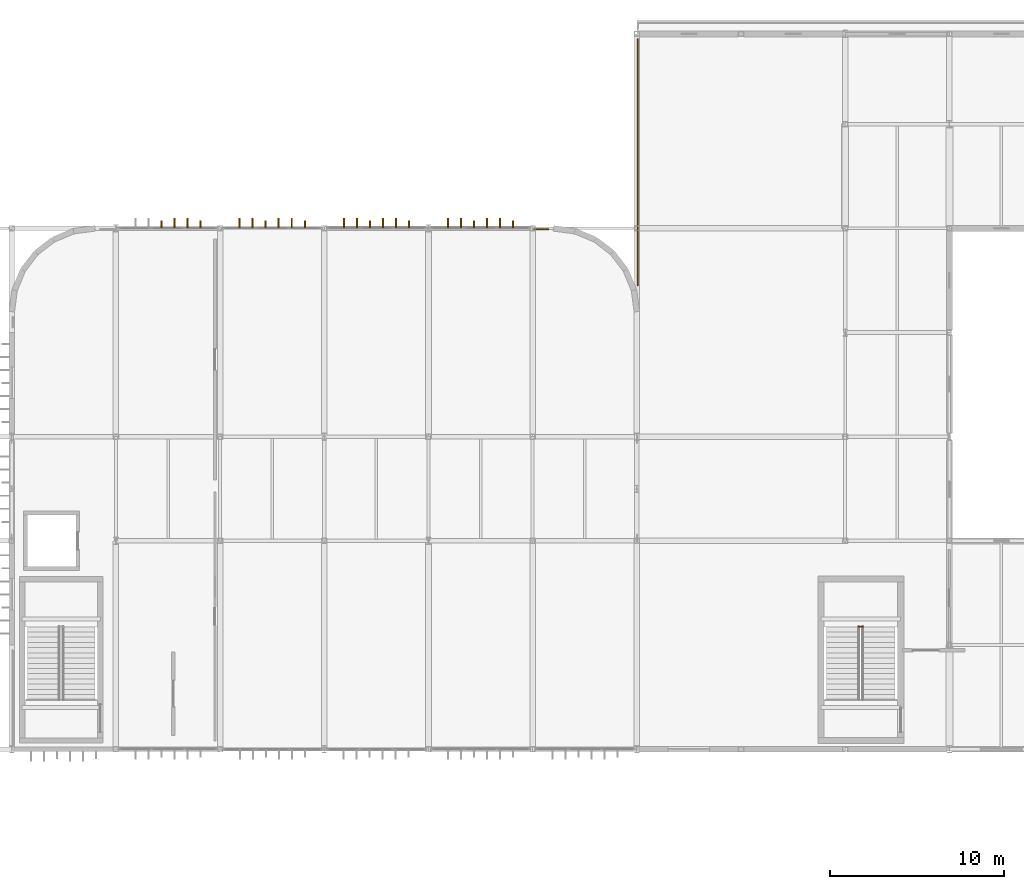
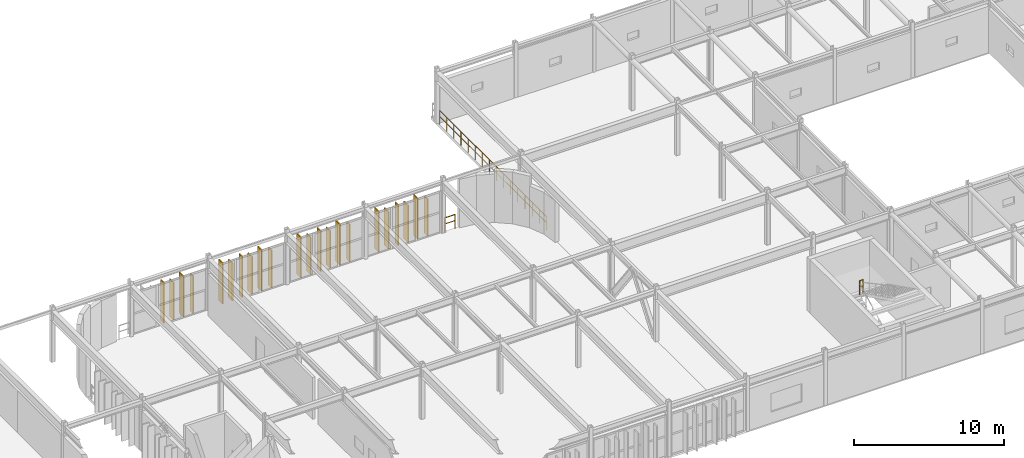
# One storey, part 91 of 96: 22 coverings, 3 railings.
"""IFC4 building model written with IfcOpenShell, lengths in metres."""

from ifc_helpers import new_model, si_unit, direction, frame, origin, origin_2d, place, context, subcontext, project, spatial, rectangle, circle, extrude, material, layer, layer_set, type_object, element, save


model = new_model("IFC4")

# Units and contexts
model_context = context("Model", 3, precision=1e-05, world=origin(), true_north=direction((0.0, 1.0)))
body_context = subcontext(model_context, "Body", "Model", "MODEL_VIEW")
ifc_project = project(units=[si_unit("LENGTHUNIT", "METRE"), si_unit("AREAUNIT", "SQUARE_METRE"), si_unit("VOLUMEUNIT", "CUBIC_METRE"), si_unit("PLANEANGLEUNIT", "RADIAN"), si_unit("MASSUNIT", "GRAM", prefix="KILO")], contexts=[model_context])

# Site, building, storey
site_placement = place(None, origin())
site = spatial("IfcSite", under=ifc_project, at=site_placement, CompositionType="ELEMENT")
building_placement = place(site_placement, origin())
building = spatial("IfcBuilding", under=site, at=building_placement, Name="Varnakota Square Police Headquarters", CompositionType="ELEMENT")
storey_placement = place(building_placement, frame((0.0, 0.0, 4.800048828125)))
storey = spatial("IfcBuildingStorey", under=building, at=storey_placement, Name="L01", CompositionType="ELEMENT", Elevation=4.800048828125)

# Coverings
ifc_material_1 = material(Name="White Anodised Aluminium Vertical Facade Blade 420", Category="aluminium")
ifc_layer_1 = layer(ifc_material_1, 0.0849609375, Name="White Anodised Aluminium Vertical Facade Blade 420")
ifc_layer_set_1 = layer_set([ifc_layer_1], Name="White Anodised Aluminium Vertical Facade Blade 420")
covering_type_1 = type_object("IfcCoveringType", Name="COV-FIN-420", PredefinedType="CLADDING", material=ifc_layer_set_1)
covering_1_placement = place(storey_placement, frame((68.612548828125, 99.237548828125, 0.0400390625), z_axis=(0.0, 0.0, 1.0), x_axis=(1.0, 0.0, 0.0)))
element("IfcCovering", 1, at=covering_1_placement, inside=storey, type_object=covering_type_1, Name="Vertical aluminium facade fin FIN-1160", PredefinedType="CLADDING", context=body_context, shape_type="SweptSolid", body=[
    extrude(rectangle(XDim=0.0849609375, YDim=0.419921875, at=origin_2d()), origin(), (0.0, 0.0, 1.0), 3.31005859375),
])
covering_2_placement = place(storey_placement, frame((70.862548828125, 99.237548828125, 0.0400390625), z_axis=(0.0, 0.0, 1.0), x_axis=(1.0, 0.0, 0.0)))
element("IfcCovering", 2, at=covering_2_placement, inside=storey, type_object=covering_type_1, Name="Vertical aluminium facade fin FIN-1163", PredefinedType="CLADDING", context=body_context, shape_type="SweptSolid", body=[
    extrude(rectangle(XDim=0.0849609375, YDim=0.419921875, at=origin_2d()), origin(), (0.0, 0.0, 1.0), 3.030029296875),
])
covering_3_placement = place(storey_placement, frame((74.625, 99.237548828125, 0.0400390625), z_axis=(0.0, 0.0, 1.0), x_axis=(1.0, 0.0, 0.0)))
element("IfcCovering", 3, at=covering_3_placement, inside=storey, type_object=covering_type_1, Name="Vertical aluminium facade fin FIN-1166", PredefinedType="CLADDING", context=body_context, shape_type="SweptSolid", body=[
    extrude(rectangle(XDim=0.0849609375, YDim=0.419921875, at=origin_2d()), origin(), (0.0, 0.0, 1.0), 3.31005859375),
])
covering_4_placement = place(storey_placement, frame((76.875, 99.237548828125, 0.0400390625), z_axis=(0.0, 0.0, 1.0), x_axis=(1.0, 0.0, 0.0)))
element("IfcCovering", 4, at=covering_4_placement, inside=storey, type_object=covering_type_1, Name="Vertical aluminium facade fin FIN-1169", PredefinedType="CLADDING", context=body_context, shape_type="SweptSolid", body=[
    extrude(rectangle(XDim=0.0849609375, YDim=0.419921875, at=origin_2d()), origin(), (0.0, 0.0, 1.0), 3.030029296875),
])
covering_5_placement = place(storey_placement, frame((80.637451171875, 99.237548828125, 0.0400390625), z_axis=(0.0, 0.0, 1.0), x_axis=(1.0, 0.0, 0.0)))
element("IfcCovering", 5, at=covering_5_placement, inside=storey, type_object=covering_type_1, Name="Vertical aluminium facade fin FIN-1172", PredefinedType="CLADDING", context=body_context, shape_type="SweptSolid", body=[
    extrude(rectangle(XDim=0.0849609375, YDim=0.419921875, at=origin_2d()), origin(), (0.0, 0.0, 1.0), 3.31005859375),
])
covering_6_placement = place(storey_placement, frame((82.887451171875, 99.237548828125, 0.0400390625), z_axis=(0.0, 0.0, 1.0), x_axis=(1.0, 0.0, 0.0)))
element("IfcCovering", 6, at=covering_6_placement, inside=storey, type_object=covering_type_1, Name="Vertical aluminium facade fin FIN-1175", PredefinedType="CLADDING", context=body_context, shape_type="SweptSolid", body=[
    extrude(rectangle(XDim=0.0849609375, YDim=0.419921875, at=origin_2d()), origin(), (0.0, 0.0, 1.0), 3.030029296875),
])
covering_7_placement = place(storey_placement, frame((86.612548828125, 99.237548828125, 0.0400390625), z_axis=(0.0, 0.0, 1.0), x_axis=(1.0, 0.0, 0.0)))
element("IfcCovering", 7, at=covering_7_placement, inside=storey, type_object=covering_type_1, Name="Vertical aluminium facade fin FIN-1178", PredefinedType="CLADDING", context=body_context, shape_type="SweptSolid", body=[
    extrude(rectangle(XDim=0.0849609375, YDim=0.419921875, at=origin_2d()), origin(), (0.0, 0.0, 1.0), 3.31005859375),
])
covering_8_placement = place(storey_placement, frame((88.862548828125, 99.237548828125, 0.0400390625), z_axis=(0.0, 0.0, 1.0), x_axis=(1.0, 0.0, 0.0)))
element("IfcCovering", 8, at=covering_8_placement, inside=storey, type_object=covering_type_1, Name="Vertical aluminium facade fin FIN-1181", PredefinedType="CLADDING", context=body_context, shape_type="SweptSolid", body=[
    extrude(rectangle(XDim=0.0849609375, YDim=0.419921875, at=origin_2d()), origin(), (0.0, 0.0, 1.0), 3.030029296875),
])
ifc_material_2 = material(Name="White Anodised Aluminium Vertical Facade Blade 550", Category="aluminium")
ifc_layer_2 = layer(ifc_material_2, 0.0849609375, Name="White Anodised Aluminium Vertical Facade Blade 550")
ifc_layer_set_2 = layer_set([ifc_layer_2], Name="White Anodised Aluminium Vertical Facade Blade 550")
covering_type_2 = type_object("IfcCoveringType", Name="COV-FIN-550", PredefinedType="CLADDING", material=ifc_layer_set_2)
covering_9_placement = place(storey_placement, frame((69.362548828125, 99.302490234375, 0.0400390625), z_axis=(0.0, 0.0, 1.0), x_axis=(1.0, 0.0, 0.0)))
element("IfcCovering", 9, at=covering_9_placement, inside=storey, type_object=covering_type_2, Name="Vertical aluminium facade fin FIN-1161", PredefinedType="CLADDING", context=body_context, shape_type="SweptSolid", body=[
    extrude(rectangle(XDim=0.0849609375, YDim=0.550048828125, at=origin_2d()), origin(), (0.0, 0.0, 1.0), 3.030029296875),
])
for number, where, z_axis, x_axis, name in (
    (10, (70.112548828125, 99.302490234375, 0.0400390625), (0.0, 0.0, 1.0), (1.0, 0.0, 0.0), "Vertical aluminium facade fin FIN-1162"),
    (11, (73.125, 99.302490234375, 0.0400390625), (0.0, 0.0, 1.0), (1.0, 0.0, 0.0), "Vertical aluminium facade fin FIN-1164"),
):
    element("IfcCovering", number, at=place(storey_placement, frame(where, z_axis=z_axis, x_axis=x_axis)), inside=storey, type_object=covering_type_2, Name=name, PredefinedType="CLADDING", context=body_context, shape_type="SweptSolid", body=[
        extrude(rectangle(XDim=0.0849609375, YDim=0.550048828125, at=origin_2d()), origin(), (0.0, 0.0, 1.0), 3.31005859375),
    ])
for number, where, z_axis, x_axis, name in (
    (12, (73.875, 99.302490234375, 0.0400390625), (0.0, 0.0, 1.0), (1.0, 0.0, 0.0), "Vertical aluminium facade fin FIN-1165"),
    (13, (75.375, 99.302490234375, 0.0400390625), (0.0, 0.0, 1.0), (1.0, 0.0, 0.0), "Vertical aluminium facade fin FIN-1167"),
):
    element("IfcCovering", number, at=place(storey_placement, frame(where, z_axis=z_axis, x_axis=x_axis)), inside=storey, type_object=covering_type_2, Name=name, PredefinedType="CLADDING", context=body_context, shape_type="SweptSolid", body=[
        extrude(rectangle(XDim=0.0849609375, YDim=0.550048828125, at=origin_2d()), origin(), (0.0, 0.0, 1.0), 3.030029296875),
    ])
for number, where, z_axis, x_axis, name in (
    (14, (76.125, 99.302490234375, 0.0400390625), (0.0, 0.0, 1.0), (1.0, 0.0, 0.0), "Vertical aluminium facade fin FIN-1168"),
    (15, (79.137451171875, 99.302490234375, 0.0400390625), (0.0, 0.0, 1.0), (1.0, 0.0, 0.0), "Vertical aluminium facade fin FIN-1170"),
):
    element("IfcCovering", number, at=place(storey_placement, frame(where, z_axis=z_axis, x_axis=x_axis)), inside=storey, type_object=covering_type_2, Name=name, PredefinedType="CLADDING", context=body_context, shape_type="SweptSolid", body=[
        extrude(rectangle(XDim=0.0849609375, YDim=0.550048828125, at=origin_2d()), origin(), (0.0, 0.0, 1.0), 3.31005859375),
    ])
for number, where, z_axis, x_axis, name in (
    (16, (79.887451171875, 99.302490234375, 0.0400390625), (0.0, 0.0, 1.0), (1.0, 0.0, 0.0), "Vertical aluminium facade fin FIN-1171"),
    (17, (81.387451171875, 99.302490234375, 0.0400390625), (0.0, 0.0, 1.0), (1.0, 0.0, 0.0), "Vertical aluminium facade fin FIN-1173"),
):
    element("IfcCovering", number, at=place(storey_placement, frame(where, z_axis=z_axis, x_axis=x_axis)), inside=storey, type_object=covering_type_2, Name=name, PredefinedType="CLADDING", context=body_context, shape_type="SweptSolid", body=[
        extrude(rectangle(XDim=0.0849609375, YDim=0.550048828125, at=origin_2d()), origin(), (0.0, 0.0, 1.0), 3.030029296875),
    ])
for number, where, z_axis, x_axis, name in (
    (18, (82.137451171875, 99.302490234375, 0.0400390625), (0.0, 0.0, 1.0), (1.0, 0.0, 0.0), "Vertical aluminium facade fin FIN-1174"),
    (19, (85.112548828125, 99.302490234375, 0.0400390625), (0.0, 0.0, 1.0), (1.0, 0.0, 0.0), "Vertical aluminium facade fin FIN-1176"),
):
    element("IfcCovering", number, at=place(storey_placement, frame(where, z_axis=z_axis, x_axis=x_axis)), inside=storey, type_object=covering_type_2, Name=name, PredefinedType="CLADDING", context=body_context, shape_type="SweptSolid", body=[
        extrude(rectangle(XDim=0.0849609375, YDim=0.550048828125, at=origin_2d()), origin(), (0.0, 0.0, 1.0), 3.31005859375),
    ])
for number, where, z_axis, x_axis, name in (
    (20, (85.862548828125, 99.302490234375, 0.0400390625), (0.0, 0.0, 1.0), (1.0, 0.0, 0.0), "Vertical aluminium facade fin FIN-1177"),
    (21, (87.362548828125, 99.302490234375, 0.0400390625), (0.0, 0.0, 1.0), (1.0, 0.0, 0.0), "Vertical aluminium facade fin FIN-1179"),
):
    element("IfcCovering", number, at=place(storey_placement, frame(where, z_axis=z_axis, x_axis=x_axis)), inside=storey, type_object=covering_type_2, Name=name, PredefinedType="CLADDING", context=body_context, shape_type="SweptSolid", body=[
        extrude(rectangle(XDim=0.0849609375, YDim=0.550048828125, at=origin_2d()), origin(), (0.0, 0.0, 1.0), 3.030029296875),
    ])
covering_10_placement = place(storey_placement, frame((88.112548828125, 99.302490234375, 0.0400390625), z_axis=(0.0, 0.0, 1.0), x_axis=(1.0, 0.0, 0.0)))
element("IfcCovering", 22, at=covering_10_placement, inside=storey, type_object=covering_type_2, Name="Vertical aluminium facade fin FIN-1180", PredefinedType="CLADDING", context=body_context, shape_type="SweptSolid", body=[
    extrude(rectangle(XDim=0.0849609375, YDim=0.550048828125, at=origin_2d()), origin(), (0.0, 0.0, 1.0), 3.31005859375),
])

# Railings
ifc_material_3 = material(Name="Galvanised Powder-Coated Steel Guardrail", Category="steel")
railing_type_1 = type_object("IfcRailingType", Name="RL-BAL-1150", PredefinedType="BALUSTRADE", material=ifc_material_3)
railing_1_placement = place(storey_placement, frame((90.07958984375, 98.949951171875, 0.0)))
element("IfcRailing", 23, at=railing_1_placement, inside=storey, type_object=railing_type_1, Name="Perimeter edge safety guard GD-AUTO-L01-026", PredefinedType="BALUSTRADE", context=body_context, shape_type="SweptSolid", body=[
    extrude(circle(Radius=0.02392578125, at=origin_2d()), frame((0.0, 0.0, 1.1259765625), z_axis=(1.0, 0.0, 0.0), x_axis=(0.0, 1.0, 0.0)), (0.0, 0.0, 1.0), 0.82470703125),
    extrude(circle(Radius=0.01806640625, at=origin_2d()), frame((0.0, 0.0, 0.63232421875), z_axis=(1.0, 0.0, 0.0), x_axis=(0.0, 1.0, 0.0)), (0.0, 0.0, 1.0), 0.82470703125),
    extrude(circle(Radius=0.02099609375, at=origin_2d()), origin(), (0.0, 0.0, 1.0), 1.101806640625),
    extrude(circle(Radius=0.02099609375, at=origin_2d()), frame((0.82470703125, 0.0, 0.0)), (0.0, 0.0, 1.0), 1.101806640625),
])
railing_2_placement = place(storey_placement, frame((96.050048828125, 95.710693359375, 0.0)))
element("IfcRailing", 24, at=railing_2_placement, inside=storey, type_object=railing_type_1, Name="Perimeter edge safety guard GD-AUTO-L01-027", PredefinedType="BALUSTRADE", context=body_context, shape_type="SweptSolid", body=[
    extrude(circle(Radius=0.02392578125, at=origin_2d()), frame((0.0, 0.0, 1.1259765625), z_axis=(0.0, 1.0, 0.0), x_axis=(-1.0, 0.0, 0.0)), (0.0, 0.0, 1.0), 14.19775390625),
    extrude(circle(Radius=0.01806640625, at=origin_2d()), frame((0.0, 0.0, 0.63232421875), z_axis=(0.0, 1.0, 0.0), x_axis=(-1.0, 0.0, 0.0)), (0.0, 0.0, 1.0), 14.19775390625),
    extrude(circle(Radius=0.02099609375, at=origin_2d()), origin(), (0.0, 0.0, 1.0), 1.101806640625),
    extrude(circle(Radius=0.02099609375, at=origin_2d()), frame((0.0, 0.946533203125, 0.0)), (0.0, 0.0, 1.0), 1.101806640625),
    extrude(circle(Radius=0.02099609375, at=origin_2d()), frame((0.0, 1.89306640625, 0.0)), (0.0, 0.0, 1.0), 1.101806640625),
    extrude(circle(Radius=0.02099609375, at=origin_2d()), frame((0.0, 2.839599609375, 0.0)), (0.0, 0.0, 1.0), 1.101806640625),
    extrude(circle(Radius=0.02099609375, at=origin_2d()), frame((0.0, 3.7861328125, 0.0)), (0.0, 0.0, 1.0), 1.101806640625),
    extrude(circle(Radius=0.02099609375, at=origin_2d()), frame((0.0, 4.732666015625, 0.0)), (0.0, 0.0, 1.0), 1.101806640625),
    extrude(circle(Radius=0.02099609375, at=origin_2d()), frame((0.0, 5.67919921875, 0.0)), (0.0, 0.0, 1.0), 1.101806640625),
    extrude(circle(Radius=0.02099609375, at=origin_2d()), frame((0.0, 6.625732421875, 0.0)), (0.0, 0.0, 1.0), 1.101806640625),
    extrude(circle(Radius=0.02099609375, at=origin_2d()), frame((0.0, 7.572021484375, 0.0)), (0.0, 0.0, 1.0), 1.101806640625),
    extrude(circle(Radius=0.02099609375, at=origin_2d()), frame((0.0, 8.5185546875, 0.0)), (0.0, 0.0, 1.0), 1.101806640625),
    extrude(circle(Radius=0.02099609375, at=origin_2d()), frame((0.0, 9.465087890625, 0.0)), (0.0, 0.0, 1.0), 1.101806640625),
    extrude(circle(Radius=0.02099609375, at=origin_2d()), frame((0.0, 10.41162109375, 0.0)), (0.0, 0.0, 1.0), 1.101806640625),
    extrude(circle(Radius=0.02099609375, at=origin_2d()), frame((0.0, 11.358154296875, 0.0)), (0.0, 0.0, 1.0), 1.101806640625),
    extrude(circle(Radius=0.02099609375, at=origin_2d()), frame((0.0, 12.3046875, 0.0)), (0.0, 0.0, 1.0), 1.101806640625),
    extrude(circle(Radius=0.02099609375, at=origin_2d()), frame((0.0, 13.251220703125, 0.0)), (0.0, 0.0, 1.0), 1.101806640625),
    extrude(circle(Radius=0.02099609375, at=origin_2d()), frame((0.0, 14.19775390625, 0.0)), (0.0, 0.0, 1.0), 1.101806640625),
])
ifc_material_4 = material(Name="Laminated Glass and Stainless Steel Balustrade", Category="steel")
railing_type_2 = type_object("IfcRailingType", Name="RL-INT-1150", PredefinedType="BALUSTRADE", material=ifc_material_4)
railing_3_placement = place(storey_placement, frame((108.77001953125, 76.05078125, 2.25)))
element("IfcRailing", 25, at=railing_3_placement, inside=storey, type_object=railing_type_2, Name="Half-landing well guard C9 L01", PredefinedType="BALUSTRADE", context=body_context, shape_type="SweptSolid", body=[
    extrude(circle(Radius=0.02392578125, at=origin_2d()), frame((0.0, 0.0, 1.1259765625), z_axis=(1.0, 0.0, 0.0), x_axis=(0.0, 1.0, 0.0)), (0.0, 0.0, 1.0), 0.259765625),
    extrude(circle(Radius=0.01806640625, at=origin_2d()), frame((0.0, 0.0, 0.63232421875), z_axis=(1.0, 0.0, 0.0), x_axis=(0.0, 1.0, 0.0)), (0.0, 0.0, 1.0), 0.259765625),
    extrude(circle(Radius=0.02099609375, at=origin_2d()), origin(), (0.0, 0.0, 1.0), 1.101806640625),
    extrude(circle(Radius=0.02099609375, at=origin_2d()), frame((0.259765625, 0.0, 0.0)), (0.0, 0.0, 1.0), 1.101806640625),
])

save(model, "model.ifc")
